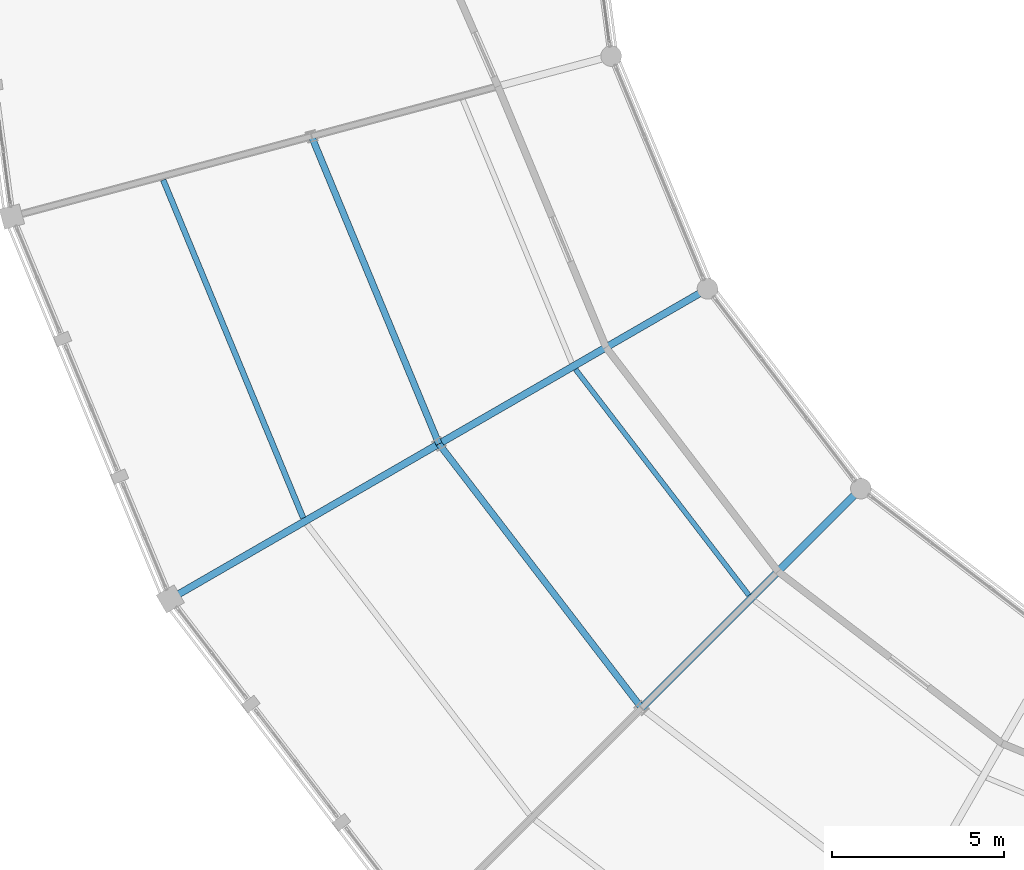
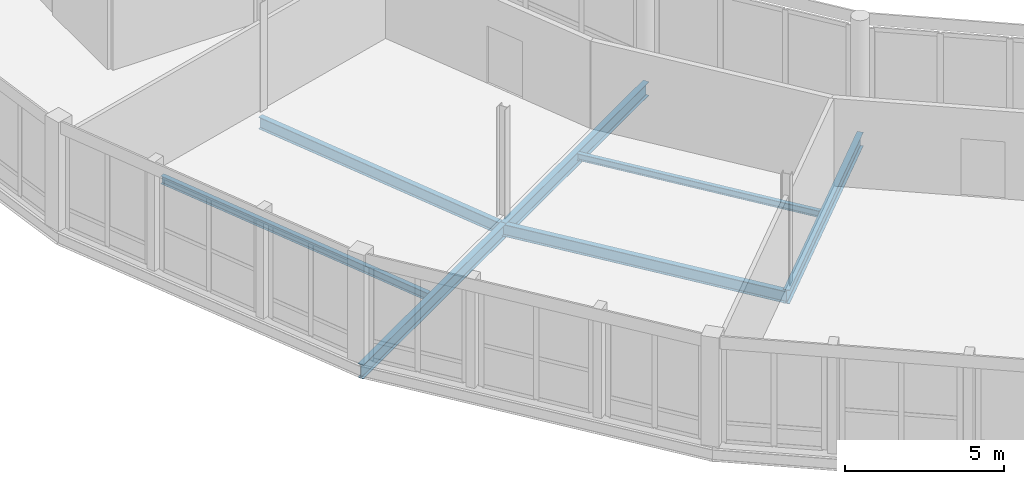
# One storey, part 38 of 170: 7 beams.
"""IFC4 building model written with IfcOpenShell, lengths in metres."""

from ifc_helpers import new_model, si_unit, direction, frame, origin, origin_2d, place, context, subcontext, project, spatial, i_section, extrude, material, material_profile, profile_set, type_object, element, save


model = new_model("IFC4")

# Units and contexts
model_context = context("Model", 3, precision=1e-05, world=origin(), true_north=direction((0.0, 1.0)))
body_context = subcontext(model_context, "Body", "Model", "MODEL_VIEW")
ifc_project = project(units=[si_unit("LENGTHUNIT", "METRE"), si_unit("AREAUNIT", "SQUARE_METRE"), si_unit("VOLUMEUNIT", "CUBIC_METRE"), si_unit("PLANEANGLEUNIT", "RADIAN"), si_unit("MASSUNIT", "GRAM", prefix="KILO")], contexts=[model_context])

# Site, building, storey
site_placement = place(None, origin())
site = spatial("IfcSite", under=ifc_project, at=site_placement, CompositionType="ELEMENT")
building_placement = place(site_placement, origin())
building = spatial("IfcBuilding", under=site, at=building_placement, Name="Vondelvale Polytechnic", CompositionType="ELEMENT")
storey_placement = place(building_placement, frame((0.0, 0.0, 5.39990234375)))
storey = spatial("IfcBuildingStorey", under=building, at=storey_placement, Name="L01", CompositionType="ELEMENT", Elevation=5.39990234375)

# Beams
ifc_material = material(Name="Steel 300PLUS (fy = 300 MPa)", Category="steel")
ifc_material_profile_1 = material_profile(ifc_material, i_section(OverallWidth=0.19091796875, OverallDepth=0.4599609375, WebThickness=0.010009765625, FlangeThickness=0.01611328125, FilletRadius=0.011474609375, at=origin_2d()), Name="460UB82.1")
ifc_profile_set_1 = profile_set([ifc_material_profile_1], Name="Steel 300PLUS (fy = 300 MPa)")
beam_type_1 = type_object("IfcBeamType", Name="BM-UB460H", PredefinedType="BEAM", material=ifc_profile_set_1)
for number, where, z_axis, x_axis, name in (
    (1, (66.2607421875, 62.423583984375, -0.510009765625), (0.38268516011, -0.923878816854, 0.0), (0.923878816854, 0.38268516011, 0.0), "L01 RB B-12"),
    (2, (69.95703125, 53.5, -0.510009765625), (0.60874775518, -0.793363832402, 0.0), (0.793363832402, 0.60874775518, 0.0), "L01 RB B-12"),
):
    element("IfcBeam", number, at=place(storey_placement, frame(where, z_axis=z_axis, x_axis=x_axis)), inside=storey, type_object=beam_type_1, Name=name, PredefinedType="BEAM", context=body_context, shape_type="SweptSolid", body=[
        extrude(i_section(OverallWidth=0.19091796875, OverallDepth=0.4599609375, WebThickness=0.010009765625, FlangeThickness=0.01611328125, FilletRadius=0.011474609375, at=origin_2d()), origin(), (0.0, 0.0, 1.0), 9.658935546875),
    ])
ifc_material_profile_2 = material_profile(ifc_material, i_section(OverallWidth=0.208984375, OverallDepth=0.532958984375, WebThickness=0.01025390625, FlangeThickness=0.015625, FilletRadius=0.013916015625, at=origin_2d()), Name="530UB92.4")
ifc_profile_set_2 = profile_set([ifc_material_profile_2], Name="Steel 300PLUS (fy = 300 MPa)")
beam_type_2 = type_object("IfcBeamType", Name="BM-UB530", PredefinedType="BEAM", material=ifc_profile_set_2)
for number, where, z_axis, x_axis, name in (
    (3, (77.751220703125, 58.0, -0.54638671875), (-0.866024315419, -0.5000018851, 0.0), (0.5000018851, -0.866024315419, 0.0), "L01 RG B-11"),
    (4, (69.95703125, 53.5, -0.54638671875), (-0.866024315419, -0.5000018851, 0.0), (0.5000018851, -0.866024315419, 0.0), "L01 RG B-11"),
    (5, (82.200927734375, 52.200927734375, -0.54638671875), (-0.707106781187, -0.707106781187, 0.0), (0.707106781187, -0.707106781187, 0.0), "L01 RG B-11"),
):
    element("IfcBeam", number, at=place(storey_placement, frame(where, z_axis=z_axis, x_axis=x_axis)), inside=storey, type_object=beam_type_2, Name=name, PredefinedType="BEAM", context=body_context, shape_type="SweptSolid", body=[
        extrude(i_section(OverallWidth=0.208984375, OverallDepth=0.532958984375, WebThickness=0.01025390625, FlangeThickness=0.015625, FilletRadius=0.013916015625, at=origin_2d()), origin(), (0.0, 0.0, 1.0), 9.0),
    ])
ifc_material_profile_3 = material_profile(ifc_material, i_section(OverallWidth=0.14599609375, OverallDepth=0.256103515625, WebThickness=0.00634765625, FlangeThickness=0.010986328125, FilletRadius=0.0087890625, at=origin_2d()), Name="250UB37.3")
ifc_profile_set_3 = profile_set([ifc_material_profile_3], Name="Steel 300PLUS (fy = 300 MPa)")
beam_type_3 = type_object("IfcBeamType", Name="JST-UB250", PredefinedType="JOIST", material=ifc_profile_set_3)
beam_1_placement = place(storey_placement, frame((73.921142578125, 55.66259765625, -0.407958984375), z_axis=(0.608750899721, -0.793361419587, 0.0), x_axis=(0.793361419587, 0.608750899721, 0.0)))
element("IfcBeam", 6, at=beam_1_placement, inside=storey, type_object=beam_type_3, Name="L01 RJ J-06", PredefinedType="JOIST", context=body_context, shape_type="SweptSolid", body=[
    extrude(i_section(OverallWidth=0.14599609375, OverallDepth=0.256103515625, WebThickness=0.00634765625, FlangeThickness=0.010986328125, FilletRadius=0.0087890625, at=origin_2d()), origin(), (0.0, 0.0, 1.0), 8.26416015625),
])
ifc_material_profile_4 = material_profile(ifc_material, i_section(OverallWidth=0.1650390625, OverallDepth=0.303955078125, WebThickness=0.006103515625, FlangeThickness=0.01025390625, FilletRadius=0.011474609375, at=origin_2d()), Name="310UB40.4")
ifc_profile_set_4 = profile_set([ifc_material_profile_4], Name="Steel 300PLUS (fy = 300 MPa)")
beam_type_4 = type_object("IfcBeamType", Name="JST-UB310", PredefinedType="JOIST", material=ifc_profile_set_4)
beam_2_placement = place(storey_placement, frame((61.956298828125, 61.157470703125, -0.431884765625), z_axis=(0.382666002839, -0.923886751865, 0.0), x_axis=(0.923886751865, 0.382666002839, 0.0)))
element("IfcBeam", 7, at=beam_2_placement, inside=storey, type_object=beam_type_4, Name="L01 RJ J-05", PredefinedType="JOIST", context=body_context, shape_type="SweptSolid", body=[
    extrude(i_section(OverallWidth=0.1650390625, OverallDepth=0.303955078125, WebThickness=0.006103515625, FlangeThickness=0.01025390625, FilletRadius=0.011474609375, at=origin_2d()), origin(), (0.0, 0.0, 1.0), 10.61376953125),
])

save(model, "model.ifc")
